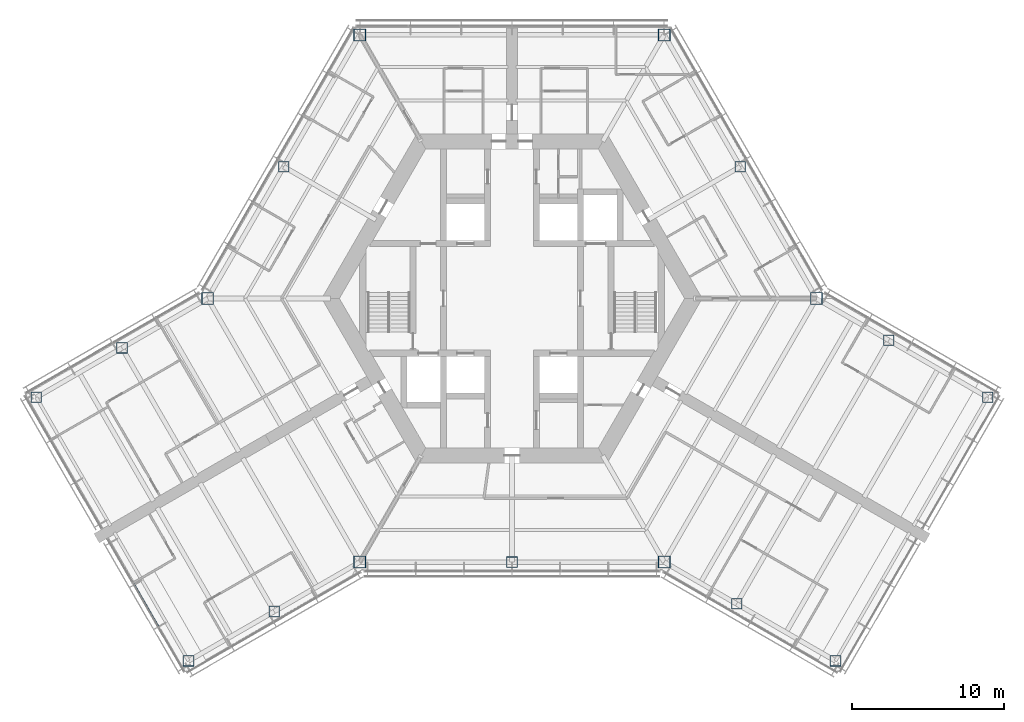
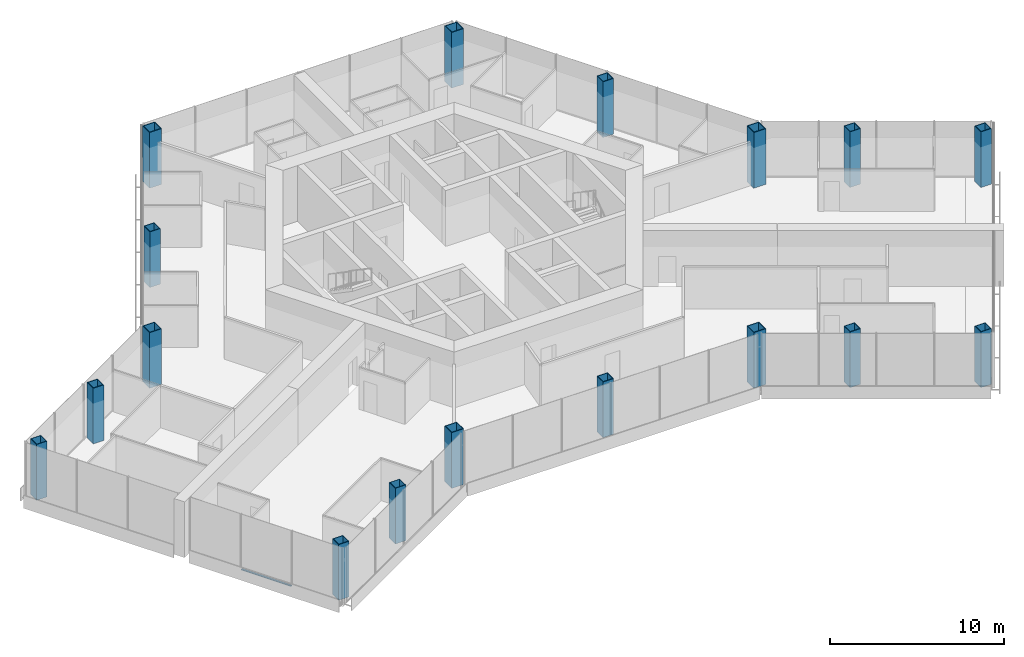
# One storey, part 1 of 18: 17 columns, 1 member, 1 element without a shape of its own.
"""IFC4 building model written with IfcOpenShell, lengths in metres."""

from ifc_helpers import new_model, si_unit, direction, frame, origin, origin_2d, place, context, subcontext, project, spatial, rectangle, hollow_rectangle, extrude, material, material_profile, profile_set, type_object, element, aggregate, save


model = new_model("IFC4")

# Units and contexts
model_context = context("Model", 3, precision=1e-05, world=origin(), true_north=direction((0.0, 1.0)))
body_context = subcontext(model_context, "Body", "Model", "MODEL_VIEW")
ifc_project = project(units=[si_unit("LENGTHUNIT", "METRE"), si_unit("AREAUNIT", "SQUARE_METRE"), si_unit("VOLUMEUNIT", "CUBIC_METRE"), si_unit("PLANEANGLEUNIT", "RADIAN"), si_unit("MASSUNIT", "GRAM", prefix="KILO")], contexts=[model_context])

# Site, building, storey
site_placement = place(None, origin())
site = spatial("IfcSite", under=ifc_project, at=site_placement, CompositionType="ELEMENT")
building_placement = place(site_placement, origin())
building = spatial("IfcBuilding", under=site, at=building_placement, Name="Kasaneha Research Tower", CompositionType="ELEMENT")
storey_placement = place(building_placement, frame((0.0, 0.0, 144.800048828125)))
storey = spatial("IfcBuildingStorey", under=building, at=storey_placement, Name="L36", CompositionType="ELEMENT", Elevation=144.800048828125)

# Columns
ifc_material_1 = material(Name="Steel SN490C", Category="steel")
ifc_material_profile_1 = material_profile(ifc_material_1, hollow_rectangle(XDim=0.800048828125, YDim=0.800048828125, WallThickness=0.044921875, at=origin_2d()), Name="BOX-800x800x45")
ifc_profile_set_1 = profile_set([ifc_material_profile_1], Name="Steel SN490C")
column_type_1 = type_object("IfcColumnType", Name="C3A column BOX-800x800x45", PredefinedType="COLUMN", material=ifc_profile_set_1)
for number, where, z_axis, x_axis, name in (
    (1, (20.0, 0.0, 0.0), (0.0, 0.0, 1.0), (1.0, 0.0, 0.0), "Column V0 L36"),
    (2, (10.0, 17.320556640625, 0.0), (0.0, 0.0, 1.0), (1.0, 0.0, 0.0), "Column V1 L36"),
    (3, (-10.0, 17.320556640625, 0.0), (0.0, 0.0, 1.0), (1.0, 0.0, 0.0), "Column V2 L36"),
    (4, (-20.0, 0.0, 0.0), (0.0, 0.0, 1.0), (1.0, 0.0, 0.0), "Column V3 L36"),
    (5, (-10.0, -17.320556640625, 0.0), (0.0, 0.0, 1.0), (1.0, 0.0, 0.0), "Column V4 L36"),
    (6, (10.0, -17.320556640625, 0.0), (0.0, 0.0, 1.0), (1.0, 0.0, 0.0), "Column V5 L36"),
):
    element("IfcColumn", number, at=place(storey_placement, frame(where, z_axis=z_axis, x_axis=x_axis)), inside=storey, type_object=column_type_1, Name=name, PredefinedType="COLUMN", context=body_context, shape_type="SweptSolid", body=[
        extrude(hollow_rectangle(XDim=0.800048828125, YDim=0.800048828125, WallThickness=0.044921875, at=origin_2d()), origin(), (0.0, 0.0, 1.0), 3.89990234375),
    ])
ifc_material_2 = material(Name="Steel SN490C", Category="steel")
ifc_material_profile_2 = material_profile(ifc_material_2, hollow_rectangle(XDim=0.699951171875, YDim=0.699951171875, WallThickness=0.035888671875, at=origin_2d()), Name="BOX-700x700x36")
ifc_profile_set_2 = profile_set([ifc_material_profile_2], Name="Steel SN490C")
column_type_2 = type_object("IfcColumnType", Name="C3B column BOX-700x700x36", PredefinedType="COLUMN", material=ifc_profile_set_2)
for number, where, z_axis, x_axis, name in (
    (7, (15.0, 8.66015625, 0.0), (0.0, 0.0, 1.0), (1.0, 0.0, 0.0), "Column M030 L36"),
    (8, (-15.0, 8.66015625, 0.0), (0.0, 0.0, 1.0), (1.0, 0.0, 0.0), "Column M150 L36"),
    (9, (0.0, -17.320556640625, 0.0), (0.0, 0.0, 1.0), (1.0, 0.0, 0.0), "Column M270 L36"),
    (10, (-25.629150390625, -3.25, 0.0), (0.0, 0.0, 1.0), (1.0, 0.0, 0.0), "Column BSP L36"),
    (11, (-31.25830078125, -6.5, 0.0), (0.0, 0.0, 1.0), (1.0, 0.0, 0.0), "Column BTP L36"),
    (12, (-15.629150390625, -20.570556640625, 0.0), (0.0, 0.0, 1.0), (1.0, 0.0, 0.0), "Column BSN L36"),
    (13, (-21.25830078125, -23.820556640625, 0.0), (0.0, 0.0, 1.0), (1.0, 0.0, 0.0), "Column BTN L36"),
    (14, (14.76318359375, -20.070556640625, 0.0), (0.0, 0.0, 1.0), (1.0, 0.0, 0.0), "Column CSP L36"),
    (15, (21.25830078125, -23.820556640625, 0.0), (0.0, 0.0, 1.0), (1.0, 0.0, 0.0), "Column CTP L36"),
    (16, (24.76318359375, -2.75, 0.0), (0.0, 0.0, 1.0), (1.0, 0.0, 0.0), "Column CSN L36"),
    (17, (31.25830078125, -6.5, 0.0), (0.0, 0.0, 1.0), (1.0, 0.0, 0.0), "Column CTN L36"),
):
    element("IfcColumn", number, at=place(storey_placement, frame(where, z_axis=z_axis, x_axis=x_axis)), inside=storey, type_object=column_type_2, Name=name, PredefinedType="COLUMN", context=body_context, shape_type="SweptSolid", body=[
        extrude(hollow_rectangle(XDim=0.699951171875, YDim=0.699951171875, WallThickness=0.035888671875, at=origin_2d()), origin(), (0.0, 0.0, 1.0), 3.89990234375),
    ])

# Curtain wall, member
ifc_material_3 = material(Name="Glass and aluminium", Category="aluminium")
curtain_wall_type = type_object("IfcCurtainWallType", Name="Mid-rise office curtain wall", PredefinedType="USERDEFINED", material=ifc_material_3)
curtain_wall_placement = place(storey_placement, origin())
curtain_wall = element("IfcCurtainWall", 18, at=curtain_wall_placement, inside=storey, type_object=curtain_wall_type, Name="CW-O2 L36 run 11a", ObjectType="UNITISED CURTAIN WALL", PredefinedType="USERDEFINED")
ifc_material_4 = material(Name="Aluminium 6063-T6", Category="aluminium")
ifc_material_profile_3 = material_profile(ifc_material_4, rectangle(XDim=0.110107421875, YDim=0.06005859375, at=origin_2d()), Name="CW-O2 transom 110x60")
ifc_profile_set_3 = profile_set([ifc_material_profile_3], Name="Aluminium 6063-T6")
member_type = type_object("IfcMemberType", Name="CW-O2 transom", PredefinedType="USERDEFINED", material=ifc_profile_set_3)
member_placement = place(storey_placement, frame((-24.896240234375, -18.719482421875, 0.030029296875), z_axis=(0.500010745865, -0.866019199568, 0.0), x_axis=(0.866019199568, 0.500010745865, 0.0)))
member = element("IfcMember", 19, at=member_placement, type_object=member_type, Name="CW-O2 transom 2", ObjectType="TRANSOM", PredefinedType="USERDEFINED", context=body_context, shape_type="SweptSolid", body=[
    extrude(rectangle(XDim=0.110107421875, YDim=0.06005859375, at=origin_2d()), origin(), (0.0, 0.0, 1.0), 3.3232421875),
])
aggregate(curtain_wall, [member])

save(model, "model.ifc")
